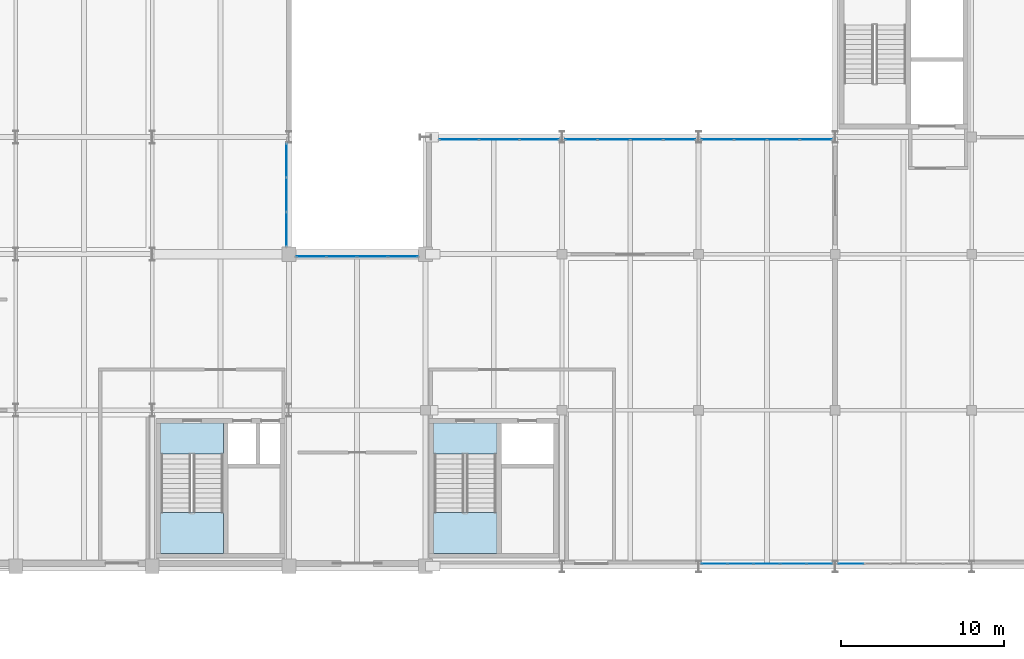
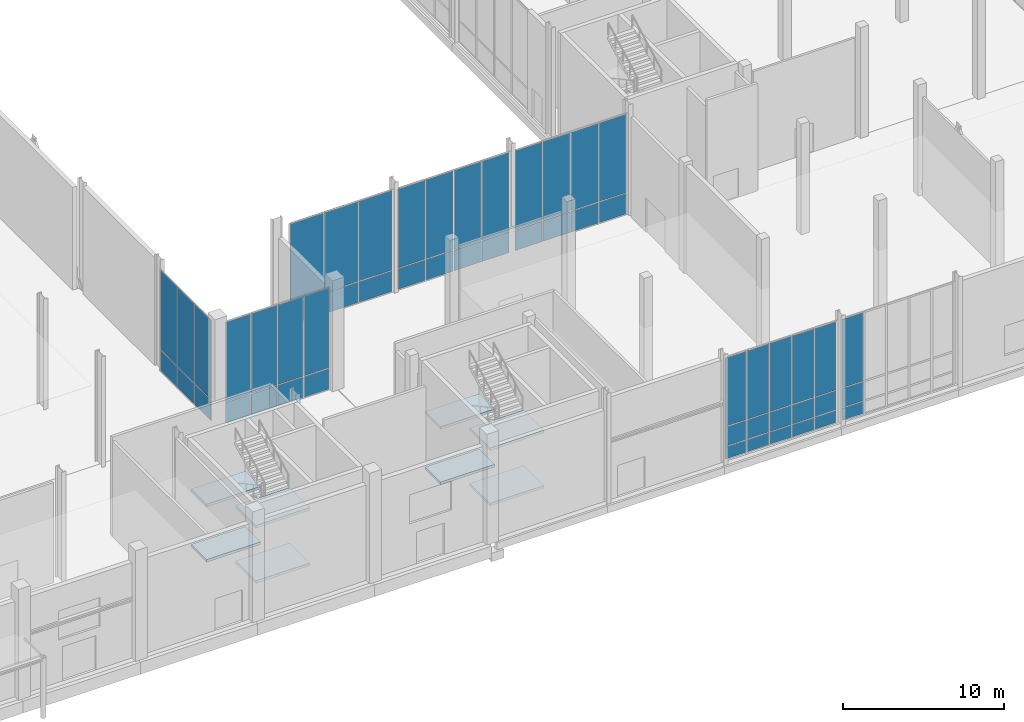
# One storey, part 101 of 131: 54 plates, 8 slabs, 9 elements without a shape of their own.
"""IFC4 building model written with IfcOpenShell, lengths in metres."""

from ifc_helpers import new_model, si_unit, direction, frame, origin, origin_2d, place, context, subcontext, project, spatial, polyline, rectangle, outline, extrude, material, layer, layer_set, type_object, element, aggregate, save


model = new_model("IFC4")

# Units and contexts
model_context = context("Model", 3, precision=1e-05, world=origin(), true_north=direction((0.0, 1.0)))
body_context = subcontext(model_context, "Body", "Model", "MODEL_VIEW")
ifc_project = project(units=[si_unit("LENGTHUNIT", "METRE"), si_unit("AREAUNIT", "SQUARE_METRE"), si_unit("VOLUMEUNIT", "CUBIC_METRE"), si_unit("PLANEANGLEUNIT", "RADIAN"), si_unit("MASSUNIT", "GRAM", prefix="KILO")], contexts=[model_context])

# Site, building, storey
site_placement = place(None, origin())
site = spatial("IfcSite", under=ifc_project, at=site_placement, CompositionType="ELEMENT")
building_placement = place(site_placement, origin())
building = spatial("IfcBuilding", under=site, at=building_placement, Name="Veltarok Museum of Natural Sciences", CompositionType="ELEMENT")
storey_placement = place(building_placement, origin())
storey = spatial("IfcBuildingStorey", under=building, at=storey_placement, Name="L00", CompositionType="ELEMENT", Elevation=0.0)

# Slab
ifc_material_1 = material(Name="Concrete C35/45", Category="concrete")
ifc_layer_1 = layer(ifc_material_1, 0.199951171875)
ifc_layer_set_1 = layer_set([ifc_layer_1], Name="Concrete C35/45")
slab_type = type_object("IfcSlabType", Name="Protected Stair Intermediate Landing Slab 200", PredefinedType="LANDING", material=ifc_layer_set_1)
slab_1_placement = place(storey_placement, frame((0.0, 0.0, -0.199951171875)))
element("IfcSlab", 1, at=slab_1_placement, inside=storey, type_object=slab_type, Name="Stairwell Floor Landing ST-02 L00", PredefinedType="LANDING", context=body_context, shape_type="SweptSolid", body=[
    extrude(outline(polyline([(90.909912109375, 6.89990234375), (94.7900390625, 6.89990234375), (94.7900390625, 8.820068359375), (90.909912109375, 8.820068359375), (90.909912109375, 6.89990234375)])), origin(), (0.0, 0.0, 1.0), 0.199951171875),
])

# Stair, slabs
ifc_material_2 = material(Name="Precast concrete C40/50", Category="concrete")
stair_type = type_object("IfcStairType", Name="Protected Four-Flight Double-Height Escape Stair H8400", PredefinedType="HALF_TURN_STAIR", material=ifc_material_2)
stair_1_placement = place(storey_placement, origin())
stair_1 = element("IfcStair", 2, at=stair_1_placement, inside=storey, type_object=stair_type, Name="Protected Escape Stair ST-02-L00", PredefinedType="HALF_TURN_STAIR")
slab_2_placement = place(storey_placement, frame((0.0, 0.0, 1.89990234375)))
slab_2 = element("IfcSlab", 3, at=slab_2_placement, type_object=slab_type, Name="ST-02-L00 landing 1", PredefinedType="LANDING", context=body_context, shape_type="SweptSolid", body=[
    extrude(outline(polyline([(90.909912109375, 0.780029296875), (94.7900390625, 0.780029296875), (94.7900390625, 3.300048828125), (90.909912109375, 3.300048828125), (90.909912109375, 0.780029296875)])), origin(), (0.0, 0.0, 1.0), 0.2001953125),
])
slab_3_placement = place(storey_placement, frame((0.0, 0.0, 4.0)))
slab_3 = element("IfcSlab", 4, at=slab_3_placement, type_object=slab_type, Name="ST-02-L00 landing 2", PredefinedType="LANDING", context=body_context, shape_type="SweptSolid", body=[
    extrude(outline(polyline([(90.909912109375, 6.89990234375), (94.7900390625, 6.89990234375), (94.7900390625, 8.820068359375), (90.909912109375, 8.820068359375), (90.909912109375, 6.89990234375)])), origin(), (0.0, 0.0, 1.0), 0.199951171875),
])
slab_4_placement = place(storey_placement, frame((0.0, 0.0, 6.10009765625)))
slab_4 = element("IfcSlab", 5, at=slab_4_placement, type_object=slab_type, Name="ST-02-L00 landing 3", PredefinedType="LANDING", context=body_context, shape_type="SweptSolid", body=[
    extrude(outline(polyline([(90.909912109375, 0.780029296875), (94.7900390625, 0.780029296875), (94.7900390625, 3.300048828125), (90.909912109375, 3.300048828125), (90.909912109375, 0.780029296875)])), origin(), (0.0, 0.0, 1.0), 0.199951171875),
])
aggregate(stair_1, [slab_2, slab_3, slab_4])

# Slab
slab_5_placement = place(storey_placement, frame((0.0, 0.0, -0.199951171875)))
element("IfcSlab", 6, at=slab_5_placement, inside=storey, type_object=slab_type, Name="Stairwell Floor Landing ST-04 L00", PredefinedType="LANDING", context=body_context, shape_type="SweptSolid", body=[
    extrude(outline(polyline([(107.7099609375, 6.89990234375), (111.590087890625, 6.89990234375), (111.590087890625, 8.820068359375), (107.7099609375, 8.820068359375), (107.7099609375, 6.89990234375)])), origin(), (0.0, 0.0, 1.0), 0.199951171875),
])

# Stair, slabs
stair_2_placement = place(storey_placement, origin())
stair_2 = element("IfcStair", 7, at=stair_2_placement, inside=storey, type_object=stair_type, Name="Protected Escape Stair ST-04-L00", PredefinedType="HALF_TURN_STAIR")
slab_6_placement = place(storey_placement, frame((0.0, 0.0, 1.89990234375)))
slab_6 = element("IfcSlab", 8, at=slab_6_placement, type_object=slab_type, Name="ST-04-L00 landing 1", PredefinedType="LANDING", context=body_context, shape_type="SweptSolid", body=[
    extrude(outline(polyline([(107.7099609375, 0.780029296875), (111.590087890625, 0.780029296875), (111.590087890625, 3.300048828125), (107.7099609375, 3.300048828125), (107.7099609375, 0.780029296875)])), origin(), (0.0, 0.0, 1.0), 0.2001953125),
])
slab_7_placement = place(storey_placement, frame((0.0, 0.0, 4.0)))
slab_7 = element("IfcSlab", 9, at=slab_7_placement, type_object=slab_type, Name="ST-04-L00 landing 2", PredefinedType="LANDING", context=body_context, shape_type="SweptSolid", body=[
    extrude(outline(polyline([(107.7099609375, 6.89990234375), (111.590087890625, 6.89990234375), (111.590087890625, 8.820068359375), (107.7099609375, 8.820068359375), (107.7099609375, 6.89990234375)])), origin(), (0.0, 0.0, 1.0), 0.199951171875),
])
slab_8_placement = place(storey_placement, frame((0.0, 0.0, 6.10009765625)))
slab_8 = element("IfcSlab", 10, at=slab_8_placement, type_object=slab_type, Name="ST-04-L00 landing 3", PredefinedType="LANDING", context=body_context, shape_type="SweptSolid", body=[
    extrude(outline(polyline([(107.7099609375, 0.780029296875), (111.590087890625, 0.780029296875), (111.590087890625, 3.300048828125), (107.7099609375, 3.300048828125), (107.7099609375, 0.780029296875)])), origin(), (0.0, 0.0, 1.0), 0.199951171875),
])
aggregate(stair_2, [slab_6, slab_7, slab_8])

# Curtain wall, plates
ifc_material_3 = material(Name="Low-iron triple insulated glass", Category="glass")
curtain_wall_type_1 = type_object("IfcCurtainWallType", Name="Curtain Wall System CW-V5S-L00-15-810x778 (V5 South Lab Curtain Wall L00 15-16 810x778cm)", PredefinedType="NOTDEFINED", material=ifc_material_3)
curtain_wall_1_placement = place(storey_placement, origin())
curtain_wall_1 = element("IfcCurtainWall", 11, at=curtain_wall_1_placement, inside=storey, type_object=curtain_wall_type_1, Name="Curtain Wall CW-V5S-L00-15-810x778 CW-0086", PredefinedType="NOTDEFINED")
ifc_layer_2 = layer(ifc_material_3, 0.028076171875)
ifc_layer_set_2 = layer_set([ifc_layer_2], Name="Low-iron triple insulated glass")
plate_type = type_object("IfcPlateType", Name="Triple Low-Iron Glazed Vision Panel 28", PredefinedType="CURTAIN_PANEL", material=ifc_layer_set_2)
plate_1_placement = place(storey_placement, frame((124.97509765625, 0.159912109375, 0.06005859375), z_axis=(0.0, 0.0, 1.0), x_axis=(1.0, 0.0, 0.0)))
plate_1 = element("IfcPlate", 12, at=plate_1_placement, type_object=plate_type, Name="CW-V5S-L00-15-810x778 panel 1.1", PredefinedType="CURTAIN_PANEL", context=body_context, shape_type="SweptSolid", body=[
    extrude(rectangle(XDim=1.530029296875, YDim=0.028076171875, at=origin_2d()), origin(), (0.0, 0.0, 1.0), 0.909912109375),
])
plate_2_placement = place(storey_placement, frame((124.97509765625, 0.159912109375, 1.030029296875), z_axis=(0.0, 0.0, 1.0), x_axis=(1.0, 0.0, 0.0)))
plate_2 = element("IfcPlate", 13, at=plate_2_placement, type_object=plate_type, Name="CW-V5S-L00-15-810x778 panel 1.2", PredefinedType="CURTAIN_PANEL", context=body_context, shape_type="SweptSolid", body=[
    extrude(rectangle(XDim=1.530029296875, YDim=0.028076171875, at=origin_2d()), origin(), (0.0, 0.0, 1.0), 1.43994140625),
])
plate_3_placement = place(storey_placement, frame((124.97509765625, 0.159912109375, 2.530029296875), z_axis=(0.0, 0.0, 1.0), x_axis=(1.0, 0.0, 0.0)))
plate_3 = element("IfcPlate", 14, at=plate_3_placement, type_object=plate_type, Name="CW-V5S-L00-15-810x778 panel 1.3", PredefinedType="CURTAIN_PANEL", context=body_context, shape_type="SweptSolid", body=[
    extrude(rectangle(XDim=1.530029296875, YDim=0.028076171875, at=origin_2d()), origin(), (0.0, 0.0, 1.0), 5.18994140625),
])
plate_4_placement = place(storey_placement, frame((126.580078125, 0.159912109375, 0.06005859375), z_axis=(0.0, 0.0, 1.0), x_axis=(1.0, 0.0, 0.0)))
plate_4 = element("IfcPlate", 15, at=plate_4_placement, type_object=plate_type, Name="CW-V5S-L00-15-810x778 panel 2.1", PredefinedType="CURTAIN_PANEL", context=body_context, shape_type="SweptSolid", body=[
    extrude(rectangle(XDim=1.56005859375, YDim=0.028076171875, at=origin_2d()), origin(), (0.0, 0.0, 1.0), 0.909912109375),
])
plate_5_placement = place(storey_placement, frame((126.580078125, 0.159912109375, 1.030029296875), z_axis=(0.0, 0.0, 1.0), x_axis=(1.0, 0.0, 0.0)))
plate_5 = element("IfcPlate", 16, at=plate_5_placement, type_object=plate_type, Name="CW-V5S-L00-15-810x778 panel 2.2", PredefinedType="CURTAIN_PANEL", context=body_context, shape_type="SweptSolid", body=[
    extrude(rectangle(XDim=1.56005859375, YDim=0.028076171875, at=origin_2d()), origin(), (0.0, 0.0, 1.0), 1.43994140625),
])
plate_6_placement = place(storey_placement, frame((126.580078125, 0.159912109375, 2.530029296875), z_axis=(0.0, 0.0, 1.0), x_axis=(1.0, 0.0, 0.0)))
plate_6 = element("IfcPlate", 17, at=plate_6_placement, type_object=plate_type, Name="CW-V5S-L00-15-810x778 panel 2.3", PredefinedType="CURTAIN_PANEL", context=body_context, shape_type="SweptSolid", body=[
    extrude(rectangle(XDim=1.56005859375, YDim=0.028076171875, at=origin_2d()), origin(), (0.0, 0.0, 1.0), 5.18994140625),
])
plate_7_placement = place(storey_placement, frame((128.199951171875, 0.159912109375, 0.06005859375), z_axis=(0.0, 0.0, 1.0), x_axis=(1.0, 0.0, 0.0)))
plate_7 = element("IfcPlate", 18, at=plate_7_placement, type_object=plate_type, Name="CW-V5S-L00-15-810x778 panel 3.1", PredefinedType="CURTAIN_PANEL", context=body_context, shape_type="SweptSolid", body=[
    extrude(rectangle(XDim=1.56005859375, YDim=0.028076171875, at=origin_2d()), origin(), (0.0, 0.0, 1.0), 0.909912109375),
])
plate_8_placement = place(storey_placement, frame((128.199951171875, 0.159912109375, 1.030029296875), z_axis=(0.0, 0.0, 1.0), x_axis=(1.0, 0.0, 0.0)))
plate_8 = element("IfcPlate", 19, at=plate_8_placement, type_object=plate_type, Name="CW-V5S-L00-15-810x778 panel 3.2", PredefinedType="CURTAIN_PANEL", context=body_context, shape_type="SweptSolid", body=[
    extrude(rectangle(XDim=1.56005859375, YDim=0.028076171875, at=origin_2d()), origin(), (0.0, 0.0, 1.0), 1.43994140625),
])
plate_9_placement = place(storey_placement, frame((128.199951171875, 0.159912109375, 2.530029296875), z_axis=(0.0, 0.0, 1.0), x_axis=(1.0, 0.0, 0.0)))
plate_9 = element("IfcPlate", 20, at=plate_9_placement, type_object=plate_type, Name="CW-V5S-L00-15-810x778 panel 3.3", PredefinedType="CURTAIN_PANEL", context=body_context, shape_type="SweptSolid", body=[
    extrude(rectangle(XDim=1.56005859375, YDim=0.028076171875, at=origin_2d()), origin(), (0.0, 0.0, 1.0), 5.18994140625),
])
plate_10_placement = place(storey_placement, frame((129.820068359375, 0.159912109375, 0.06005859375), z_axis=(0.0, 0.0, 1.0), x_axis=(1.0, 0.0, 0.0)))
plate_10 = element("IfcPlate", 21, at=plate_10_placement, type_object=plate_type, Name="CW-V5S-L00-15-810x778 panel 4.1", PredefinedType="CURTAIN_PANEL", context=body_context, shape_type="SweptSolid", body=[
    extrude(rectangle(XDim=1.56005859375, YDim=0.028076171875, at=origin_2d()), origin(), (0.0, 0.0, 1.0), 0.909912109375),
])
plate_11_placement = place(storey_placement, frame((129.820068359375, 0.159912109375, 1.030029296875), z_axis=(0.0, 0.0, 1.0), x_axis=(1.0, 0.0, 0.0)))
plate_11 = element("IfcPlate", 22, at=plate_11_placement, type_object=plate_type, Name="CW-V5S-L00-15-810x778 panel 4.2", PredefinedType="CURTAIN_PANEL", context=body_context, shape_type="SweptSolid", body=[
    extrude(rectangle(XDim=1.56005859375, YDim=0.028076171875, at=origin_2d()), origin(), (0.0, 0.0, 1.0), 1.43994140625),
])
plate_12_placement = place(storey_placement, frame((129.820068359375, 0.159912109375, 2.530029296875), z_axis=(0.0, 0.0, 1.0), x_axis=(1.0, 0.0, 0.0)))
plate_12 = element("IfcPlate", 23, at=plate_12_placement, type_object=plate_type, Name="CW-V5S-L00-15-810x778 panel 4.3", PredefinedType="CURTAIN_PANEL", context=body_context, shape_type="SweptSolid", body=[
    extrude(rectangle(XDim=1.56005859375, YDim=0.028076171875, at=origin_2d()), origin(), (0.0, 0.0, 1.0), 5.18994140625),
])
plate_13_placement = place(storey_placement, frame((131.425048828125, 0.159912109375, 0.06005859375), z_axis=(0.0, 0.0, 1.0), x_axis=(1.0, 0.0, 0.0)))
plate_13 = element("IfcPlate", 24, at=plate_13_placement, type_object=plate_type, Name="CW-V5S-L00-15-810x778 panel 5.1", PredefinedType="CURTAIN_PANEL", context=body_context, shape_type="SweptSolid", body=[
    extrude(rectangle(XDim=1.530029296875, YDim=0.028076171875, at=origin_2d()), origin(), (0.0, 0.0, 1.0), 0.909912109375),
])
plate_14_placement = place(storey_placement, frame((131.425048828125, 0.159912109375, 1.030029296875), z_axis=(0.0, 0.0, 1.0), x_axis=(1.0, 0.0, 0.0)))
plate_14 = element("IfcPlate", 25, at=plate_14_placement, type_object=plate_type, Name="CW-V5S-L00-15-810x778 panel 5.2", PredefinedType="CURTAIN_PANEL", context=body_context, shape_type="SweptSolid", body=[
    extrude(rectangle(XDim=1.530029296875, YDim=0.028076171875, at=origin_2d()), origin(), (0.0, 0.0, 1.0), 1.43994140625),
])
plate_15_placement = place(storey_placement, frame((131.425048828125, 0.159912109375, 2.530029296875), z_axis=(0.0, 0.0, 1.0), x_axis=(1.0, 0.0, 0.0)))
plate_15 = element("IfcPlate", 26, at=plate_15_placement, type_object=plate_type, Name="CW-V5S-L00-15-810x778 panel 5.3", PredefinedType="CURTAIN_PANEL", context=body_context, shape_type="SweptSolid", body=[
    extrude(rectangle(XDim=1.530029296875, YDim=0.028076171875, at=origin_2d()), origin(), (0.0, 0.0, 1.0), 5.18994140625),
])
aggregate(curtain_wall_1, [plate_1, plate_2, plate_3, plate_4, plate_5, plate_6, plate_7, plate_8, plate_9, plate_10, plate_11, plate_12, plate_13, plate_14, plate_15])

curtain_wall_type_2 = type_object("IfcCurtainWallType", Name="Curtain Wall System CW-V5S-L00-16-810x778 (V5 South Lab Curtain Wall L00 16-17 810x778cm)", PredefinedType="NOTDEFINED", material=ifc_material_3)
curtain_wall_2_placement = place(storey_placement, origin())
curtain_wall_2 = element("IfcCurtainWall", 27, at=curtain_wall_2_placement, inside=storey, type_object=curtain_wall_type_2, Name="Curtain Wall CW-V5S-L00-16-810x778 CW-0087", PredefinedType="NOTDEFINED")
plate_16_placement = place(storey_placement, frame((133.375, 0.159912109375, 0.06005859375), z_axis=(0.0, 0.0, 1.0), x_axis=(1.0, 0.0, 0.0)))
plate_16 = element("IfcPlate", 28, at=plate_16_placement, type_object=plate_type, Name="CW-V5S-L00-16-810x778 panel 1.1", PredefinedType="CURTAIN_PANEL", context=body_context, shape_type="SweptSolid", body=[
    extrude(rectangle(XDim=1.530029296875, YDim=0.028076171875, at=origin_2d()), origin(), (0.0, 0.0, 1.0), 0.909912109375),
])
plate_17_placement = place(storey_placement, frame((133.375, 0.159912109375, 1.030029296875), z_axis=(0.0, 0.0, 1.0), x_axis=(1.0, 0.0, 0.0)))
plate_17 = element("IfcPlate", 29, at=plate_17_placement, type_object=plate_type, Name="CW-V5S-L00-16-810x778 panel 1.2", PredefinedType="CURTAIN_PANEL", context=body_context, shape_type="SweptSolid", body=[
    extrude(rectangle(XDim=1.530029296875, YDim=0.028076171875, at=origin_2d()), origin(), (0.0, 0.0, 1.0), 1.43994140625),
])
plate_18_placement = place(storey_placement, frame((133.375, 0.159912109375, 2.530029296875), z_axis=(0.0, 0.0, 1.0), x_axis=(1.0, 0.0, 0.0)))
plate_18 = element("IfcPlate", 30, at=plate_18_placement, type_object=plate_type, Name="CW-V5S-L00-16-810x778 panel 1.3", PredefinedType="CURTAIN_PANEL", context=body_context, shape_type="SweptSolid", body=[
    extrude(rectangle(XDim=1.530029296875, YDim=0.028076171875, at=origin_2d()), origin(), (0.0, 0.0, 1.0), 5.18994140625),
])
aggregate(curtain_wall_2, [plate_16, plate_17, plate_18])

curtain_wall_type_3 = type_object("IfcCurtainWallType", Name="Curtain Wall System CW-V2E-L00-1-640x773 (CW-V2E L00 640x773cm)", PredefinedType="NOTDEFINED", material=ifc_material_3)
curtain_wall_3_placement = place(storey_placement, origin())
curtain_wall_3 = element("IfcCurtainWall", 31, at=curtain_wall_3_placement, inside=storey, type_object=curtain_wall_type_3, Name="Curtain Wall CW-V2E-L00-1-640x773 CW-0125", PredefinedType="NOTDEFINED")
plate_19_placement = place(storey_placement, frame((98.64990234375, 20.731689453125, 0.057861328125), z_axis=(0.0, 0.0, 1.0), x_axis=(0.0, 1.0, 0.0)))
plate_19 = element("IfcPlate", 32, at=plate_19_placement, type_object=plate_type, Name="CW-V2E-L00-1-640x773 panel 1.1", PredefinedType="CURTAIN_PANEL", context=body_context, shape_type="SweptSolid", body=[
    extrude(rectangle(XDim=2.043212890625, YDim=0.028076171875, at=origin_2d()), origin(), (0.0, 0.0, 1.0), 1.56005859375),
])
plate_20_placement = place(storey_placement, frame((98.64990234375, 20.731689453125, 1.67822265625), z_axis=(0.0, 0.0, 1.0), x_axis=(0.0, 1.0, 0.0)))
plate_20 = element("IfcPlate", 33, at=plate_20_placement, type_object=plate_type, Name="CW-V2E-L00-1-640x773 panel 1.2", PredefinedType="CURTAIN_PANEL", context=body_context, shape_type="SweptSolid", body=[
    extrude(rectangle(XDim=2.043212890625, YDim=0.028076171875, at=origin_2d()), origin(), (0.0, 0.0, 1.0), 5.991943359375),
])
plate_21_placement = place(storey_placement, frame((98.64990234375, 22.85009765625, 0.057861328125), z_axis=(0.0, 0.0, 1.0), x_axis=(0.0, 1.0, 0.0)))
plate_21 = element("IfcPlate", 34, at=plate_21_placement, type_object=plate_type, Name="CW-V2E-L00-1-640x773 panel 2.1", PredefinedType="CURTAIN_PANEL", context=body_context, shape_type="SweptSolid", body=[
    extrude(rectangle(XDim=2.0732421875, YDim=0.028076171875, at=origin_2d()), origin(), (0.0, 0.0, 1.0), 1.56005859375),
])
plate_22_placement = place(storey_placement, frame((98.64990234375, 22.85009765625, 1.67822265625), z_axis=(0.0, 0.0, 1.0), x_axis=(0.0, 1.0, 0.0)))
plate_22 = element("IfcPlate", 35, at=plate_22_placement, type_object=plate_type, Name="CW-V2E-L00-1-640x773 panel 2.2", PredefinedType="CURTAIN_PANEL", context=body_context, shape_type="SweptSolid", body=[
    extrude(rectangle(XDim=2.0732421875, YDim=0.028076171875, at=origin_2d()), origin(), (0.0, 0.0, 1.0), 5.991943359375),
])
plate_23_placement = place(storey_placement, frame((98.64990234375, 24.96826171875, 0.057861328125), z_axis=(0.0, 0.0, 1.0), x_axis=(0.0, 1.0, 0.0)))
plate_23 = element("IfcPlate", 36, at=plate_23_placement, type_object=plate_type, Name="CW-V2E-L00-1-640x773 panel 3.1", PredefinedType="CURTAIN_PANEL", context=body_context, shape_type="SweptSolid", body=[
    extrude(rectangle(XDim=2.043212890625, YDim=0.028076171875, at=origin_2d()), origin(), (0.0, 0.0, 1.0), 1.56005859375),
])
plate_24_placement = place(storey_placement, frame((98.64990234375, 24.96826171875, 1.67822265625), z_axis=(0.0, 0.0, 1.0), x_axis=(0.0, 1.0, 0.0)))
plate_24 = element("IfcPlate", 37, at=plate_24_placement, type_object=plate_type, Name="CW-V2E-L00-1-640x773 panel 3.2", PredefinedType="CURTAIN_PANEL", context=body_context, shape_type="SweptSolid", body=[
    extrude(rectangle(XDim=2.043212890625, YDim=0.028076171875, at=origin_2d()), origin(), (0.0, 0.0, 1.0), 5.991943359375),
])
aggregate(curtain_wall_3, [plate_19, plate_20, plate_21, plate_22, plate_23, plate_24])

curtain_wall_type_4 = type_object("IfcCurtainWallType", Name="Curtain Wall System CW-V1CN-L00-0-755x778 (CW-V1CN L00 755x778cm)", PredefinedType="NOTDEFINED", material=ifc_material_3)
curtain_wall_4_placement = place(storey_placement, origin())
curtain_wall_4 = element("IfcCurtainWall", 38, at=curtain_wall_4_placement, inside=storey, type_object=curtain_wall_type_4, Name="Curtain Wall CW-V1CN-L00-0-755x778 CW-0156", PredefinedType="NOTDEFINED")
plate_25_placement = place(storey_placement, frame((105.816162109375, 19.050048828125, 0.057861328125), z_axis=(0.0, 0.0, 1.0), x_axis=(-1.0, 0.0, 0.0)))
plate_25 = element("IfcPlate", 39, at=plate_25_placement, type_object=plate_type, Name="CW-V1CN-L00-0-755x778 panel 1.1", PredefinedType="CURTAIN_PANEL", context=body_context, shape_type="SweptSolid", body=[
    extrude(rectangle(XDim=1.797607421875, YDim=0.028076171875, at=origin_2d()), origin(), (0.0, 0.0, 1.0), 1.56005859375),
])
plate_26_placement = place(storey_placement, frame((105.816162109375, 19.050048828125, 1.677978515625), z_axis=(0.0, 0.0, 1.0), x_axis=(-1.0, 0.0, 0.0)))
plate_26 = element("IfcPlate", 40, at=plate_26_placement, type_object=plate_type, Name="CW-V1CN-L00-0-755x778 panel 1.2", PredefinedType="CURTAIN_PANEL", context=body_context, shape_type="SweptSolid", body=[
    extrude(rectangle(XDim=1.797607421875, YDim=0.028076171875, at=origin_2d()), origin(), (0.0, 0.0, 1.0), 6.0419921875),
])
plate_27_placement = place(storey_placement, frame((103.94384765625, 19.050048828125, 0.057861328125), z_axis=(0.0, 0.0, 1.0), x_axis=(-1.0, 0.0, 0.0)))
plate_27 = element("IfcPlate", 41, at=plate_27_placement, type_object=plate_type, Name="CW-V1CN-L00-0-755x778 panel 2.1", PredefinedType="CURTAIN_PANEL", context=body_context, shape_type="SweptSolid", body=[
    extrude(rectangle(XDim=1.827392578125, YDim=0.028076171875, at=origin_2d()), origin(), (0.0, 0.0, 1.0), 1.56005859375),
])
plate_28_placement = place(storey_placement, frame((103.94384765625, 19.050048828125, 1.677978515625), z_axis=(0.0, 0.0, 1.0), x_axis=(-1.0, 0.0, 0.0)))
plate_28 = element("IfcPlate", 42, at=plate_28_placement, type_object=plate_type, Name="CW-V1CN-L00-0-755x778 panel 2.2", PredefinedType="CURTAIN_PANEL", context=body_context, shape_type="SweptSolid", body=[
    extrude(rectangle(XDim=1.827392578125, YDim=0.028076171875, at=origin_2d()), origin(), (0.0, 0.0, 1.0), 6.0419921875),
])
plate_29_placement = place(storey_placement, frame((102.05615234375, 19.050048828125, 0.057861328125), z_axis=(0.0, 0.0, 1.0), x_axis=(-1.0, 0.0, 0.0)))
plate_29 = element("IfcPlate", 43, at=plate_29_placement, type_object=plate_type, Name="CW-V1CN-L00-0-755x778 panel 3.1", PredefinedType="CURTAIN_PANEL", context=body_context, shape_type="SweptSolid", body=[
    extrude(rectangle(XDim=1.827392578125, YDim=0.028076171875, at=origin_2d()), origin(), (0.0, 0.0, 1.0), 1.56005859375),
])
plate_30_placement = place(storey_placement, frame((102.05615234375, 19.050048828125, 1.677978515625), z_axis=(0.0, 0.0, 1.0), x_axis=(-1.0, 0.0, 0.0)))
plate_30 = element("IfcPlate", 44, at=plate_30_placement, type_object=plate_type, Name="CW-V1CN-L00-0-755x778 panel 3.2", PredefinedType="CURTAIN_PANEL", context=body_context, shape_type="SweptSolid", body=[
    extrude(rectangle(XDim=1.827392578125, YDim=0.028076171875, at=origin_2d()), origin(), (0.0, 0.0, 1.0), 6.0419921875),
])
plate_31_placement = place(storey_placement, frame((100.183837890625, 19.050048828125, 0.057861328125), z_axis=(0.0, 0.0, 1.0), x_axis=(-1.0, 0.0, 0.0)))
plate_31 = element("IfcPlate", 45, at=plate_31_placement, type_object=plate_type, Name="CW-V1CN-L00-0-755x778 panel 4.1", PredefinedType="CURTAIN_PANEL", context=body_context, shape_type="SweptSolid", body=[
    extrude(rectangle(XDim=1.797607421875, YDim=0.028076171875, at=origin_2d()), origin(), (0.0, 0.0, 1.0), 1.56005859375),
])
plate_32_placement = place(storey_placement, frame((100.183837890625, 19.050048828125, 1.677978515625), z_axis=(0.0, 0.0, 1.0), x_axis=(-1.0, 0.0, 0.0)))
plate_32 = element("IfcPlate", 46, at=plate_32_placement, type_object=plate_type, Name="CW-V1CN-L00-0-755x778 panel 4.2", PredefinedType="CURTAIN_PANEL", context=body_context, shape_type="SweptSolid", body=[
    extrude(rectangle(XDim=1.797607421875, YDim=0.028076171875, at=origin_2d()), origin(), (0.0, 0.0, 1.0), 6.0419921875),
])
aggregate(curtain_wall_4, [plate_25, plate_26, plate_27, plate_28, plate_29, plate_30, plate_31, plate_32])

curtain_wall_type_5 = type_object("IfcCurtainWallType", Name="Curtain Wall System CW-V5CN-L00-0-742x778 (CW-V5CN L00 742x778cm)", PredefinedType="NOTDEFINED", material=ifc_material_3)
curtain_wall_5_placement = place(storey_placement, origin())
curtain_wall_5 = element("IfcCurtainWall", 47, at=curtain_wall_5_placement, inside=storey, type_object=curtain_wall_type_5, Name="Curtain Wall CW-V5CN-L00-0-742x778 CW-0184", PredefinedType="NOTDEFINED")
plate_33_placement = place(storey_placement, frame((114.1982421875, 26.25, 0.057861328125), z_axis=(0.0, 0.0, 1.0), x_axis=(-1.0, 0.0, 0.0)))
plate_33 = element("IfcPlate", 48, at=plate_33_placement, type_object=plate_type, Name="CW-V5CN-L00-0-742x778 panel 1.1", PredefinedType="CURTAIN_PANEL", context=body_context, shape_type="SweptSolid", body=[
    extrude(rectangle(XDim=2.38330078125, YDim=0.028076171875, at=origin_2d()), origin(), (0.0, 0.0, 1.0), 1.56005859375),
])
plate_34_placement = place(storey_placement, frame((114.1982421875, 26.25, 1.677978515625), z_axis=(0.0, 0.0, 1.0), x_axis=(-1.0, 0.0, 0.0)))
plate_34 = element("IfcPlate", 49, at=plate_34_placement, type_object=plate_type, Name="CW-V5CN-L00-0-742x778 panel 1.2", PredefinedType="CURTAIN_PANEL", context=body_context, shape_type="SweptSolid", body=[
    extrude(rectangle(XDim=2.38330078125, YDim=0.028076171875, at=origin_2d()), origin(), (0.0, 0.0, 1.0), 6.0419921875),
])
plate_35_placement = place(storey_placement, frame((111.739990234375, 26.25, 0.057861328125), z_axis=(0.0, 0.0, 1.0), x_axis=(-1.0, 0.0, 0.0)))
plate_35 = element("IfcPlate", 50, at=plate_35_placement, type_object=plate_type, Name="CW-V5CN-L00-0-742x778 panel 2.1", PredefinedType="CURTAIN_PANEL", context=body_context, shape_type="SweptSolid", body=[
    extrude(rectangle(XDim=2.413330078125, YDim=0.028076171875, at=origin_2d()), origin(), (0.0, 0.0, 1.0), 1.56005859375),
])
plate_36_placement = place(storey_placement, frame((111.739990234375, 26.25, 1.677978515625), z_axis=(0.0, 0.0, 1.0), x_axis=(-1.0, 0.0, 0.0)))
plate_36 = element("IfcPlate", 51, at=plate_36_placement, type_object=plate_type, Name="CW-V5CN-L00-0-742x778 panel 2.2", PredefinedType="CURTAIN_PANEL", context=body_context, shape_type="SweptSolid", body=[
    extrude(rectangle(XDim=2.413330078125, YDim=0.028076171875, at=origin_2d()), origin(), (0.0, 0.0, 1.0), 6.0419921875),
])
plate_37_placement = place(storey_placement, frame((109.28173828125, 26.25, 0.057861328125), z_axis=(0.0, 0.0, 1.0), x_axis=(-1.0, 0.0, 0.0)))
plate_37 = element("IfcPlate", 52, at=plate_37_placement, type_object=plate_type, Name="CW-V5CN-L00-0-742x778 panel 3.1", PredefinedType="CURTAIN_PANEL", context=body_context, shape_type="SweptSolid", body=[
    extrude(rectangle(XDim=2.38330078125, YDim=0.028076171875, at=origin_2d()), origin(), (0.0, 0.0, 1.0), 1.56005859375),
])
plate_38_placement = place(storey_placement, frame((109.28173828125, 26.25, 1.677978515625), z_axis=(0.0, 0.0, 1.0), x_axis=(-1.0, 0.0, 0.0)))
plate_38 = element("IfcPlate", 53, at=plate_38_placement, type_object=plate_type, Name="CW-V5CN-L00-0-742x778 panel 3.2", PredefinedType="CURTAIN_PANEL", context=body_context, shape_type="SweptSolid", body=[
    extrude(rectangle(XDim=2.38330078125, YDim=0.028076171875, at=origin_2d()), origin(), (0.0, 0.0, 1.0), 6.0419921875),
])
aggregate(curtain_wall_5, [plate_33, plate_34, plate_35, plate_36, plate_37, plate_38])

curtain_wall_type_6 = type_object("IfcCurtainWallType", Name="Curtain Wall System CW-V5CN-L00-1-810x773 (CW-V5CN L00 810x773cm)", PredefinedType="NOTDEFINED", material=ifc_material_3)
curtain_wall_6_placement = place(storey_placement, origin())
curtain_wall_6 = element("IfcCurtainWall", 54, at=curtain_wall_6_placement, inside=storey, type_object=curtain_wall_type_6, Name="Curtain Wall CW-V5CN-L00-1-810x773 CW-0185", PredefinedType="NOTDEFINED")
plate_39_placement = place(storey_placement, frame((122.822509765625, 26.25, 0.057861328125), z_axis=(0.0, 0.0, 1.0), x_axis=(-1.0, 0.0, 0.0)))
plate_39 = element("IfcPlate", 55, at=plate_39_placement, type_object=plate_type, Name="CW-V5CN-L00-1-810x773 panel 1.1", PredefinedType="CURTAIN_PANEL", context=body_context, shape_type="SweptSolid", body=[
    extrude(rectangle(XDim=1.93505859375, YDim=0.028076171875, at=origin_2d()), origin(), (0.0, 0.0, 1.0), 1.56005859375),
])
plate_40_placement = place(storey_placement, frame((122.822509765625, 26.25, 1.67822265625), z_axis=(0.0, 0.0, 1.0), x_axis=(-1.0, 0.0, 0.0)))
plate_40 = element("IfcPlate", 56, at=plate_40_placement, type_object=plate_type, Name="CW-V5CN-L00-1-810x773 panel 1.2", PredefinedType="CURTAIN_PANEL", context=body_context, shape_type="SweptSolid", body=[
    extrude(rectangle(XDim=1.93505859375, YDim=0.028076171875, at=origin_2d()), origin(), (0.0, 0.0, 1.0), 5.991943359375),
])
plate_41_placement = place(storey_placement, frame((120.8125, 26.25, 0.057861328125), z_axis=(0.0, 0.0, 1.0), x_axis=(-1.0, 0.0, 0.0)))
plate_41 = element("IfcPlate", 57, at=plate_41_placement, type_object=plate_type, Name="CW-V5CN-L00-1-810x773 panel 2.1", PredefinedType="CURTAIN_PANEL", context=body_context, shape_type="SweptSolid", body=[
    extrude(rectangle(XDim=1.965087890625, YDim=0.028076171875, at=origin_2d()), origin(), (0.0, 0.0, 1.0), 1.56005859375),
])
plate_42_placement = place(storey_placement, frame((120.8125, 26.25, 1.67822265625), z_axis=(0.0, 0.0, 1.0), x_axis=(-1.0, 0.0, 0.0)))
plate_42 = element("IfcPlate", 58, at=plate_42_placement, type_object=plate_type, Name="CW-V5CN-L00-1-810x773 panel 2.2", PredefinedType="CURTAIN_PANEL", context=body_context, shape_type="SweptSolid", body=[
    extrude(rectangle(XDim=1.965087890625, YDim=0.028076171875, at=origin_2d()), origin(), (0.0, 0.0, 1.0), 5.991943359375),
])
plate_43_placement = place(storey_placement, frame((118.78759765625, 26.25, 0.057861328125), z_axis=(0.0, 0.0, 1.0), x_axis=(-1.0, 0.0, 0.0)))
plate_43 = element("IfcPlate", 59, at=plate_43_placement, type_object=plate_type, Name="CW-V5CN-L00-1-810x773 panel 3.1", PredefinedType="CURTAIN_PANEL", context=body_context, shape_type="SweptSolid", body=[
    extrude(rectangle(XDim=1.965087890625, YDim=0.028076171875, at=origin_2d()), origin(), (0.0, 0.0, 1.0), 1.56005859375),
])
plate_44_placement = place(storey_placement, frame((118.78759765625, 26.25, 1.67822265625), z_axis=(0.0, 0.0, 1.0), x_axis=(-1.0, 0.0, 0.0)))
plate_44 = element("IfcPlate", 60, at=plate_44_placement, type_object=plate_type, Name="CW-V5CN-L00-1-810x773 panel 3.2", PredefinedType="CURTAIN_PANEL", context=body_context, shape_type="SweptSolid", body=[
    extrude(rectangle(XDim=1.965087890625, YDim=0.028076171875, at=origin_2d()), origin(), (0.0, 0.0, 1.0), 5.991943359375),
])
plate_45_placement = place(storey_placement, frame((116.777587890625, 26.25, 0.057861328125), z_axis=(0.0, 0.0, 1.0), x_axis=(-1.0, 0.0, 0.0)))
plate_45 = element("IfcPlate", 61, at=plate_45_placement, type_object=plate_type, Name="CW-V5CN-L00-1-810x773 panel 4.1", PredefinedType="CURTAIN_PANEL", context=body_context, shape_type="SweptSolid", body=[
    extrude(rectangle(XDim=1.93505859375, YDim=0.028076171875, at=origin_2d()), origin(), (0.0, 0.0, 1.0), 1.56005859375),
])
plate_46_placement = place(storey_placement, frame((116.777587890625, 26.25, 1.67822265625), z_axis=(0.0, 0.0, 1.0), x_axis=(-1.0, 0.0, 0.0)))
plate_46 = element("IfcPlate", 62, at=plate_46_placement, type_object=plate_type, Name="CW-V5CN-L00-1-810x773 panel 4.2", PredefinedType="CURTAIN_PANEL", context=body_context, shape_type="SweptSolid", body=[
    extrude(rectangle(XDim=1.93505859375, YDim=0.028076171875, at=origin_2d()), origin(), (0.0, 0.0, 1.0), 5.991943359375),
])
aggregate(curtain_wall_6, [plate_39, plate_40, plate_41, plate_42, plate_43, plate_44, plate_45, plate_46])

curtain_wall_type_7 = type_object("IfcCurtainWallType", Name="Curtain Wall System CW-V5CN-L00-2-810x768 (CW-V5CN L00 810x768cm)", PredefinedType="NOTDEFINED", material=ifc_material_3)
curtain_wall_7_placement = place(storey_placement, origin())
curtain_wall_7 = element("IfcCurtainWall", 63, at=curtain_wall_7_placement, inside=storey, type_object=curtain_wall_type_7, Name="Curtain Wall CW-V5CN-L00-2-810x768 CW-0186", PredefinedType="NOTDEFINED")
plate_47_placement = place(storey_placement, frame((131.222412109375, 26.25, 0.057861328125), z_axis=(0.0, 0.0, 1.0), x_axis=(-1.0, 0.0, 0.0)))
plate_47 = element("IfcPlate", 64, at=plate_47_placement, type_object=plate_type, Name="CW-V5CN-L00-2-810x768 panel 1.1", PredefinedType="CURTAIN_PANEL", context=body_context, shape_type="SweptSolid", body=[
    extrude(rectangle(XDim=1.93505859375, YDim=0.028076171875, at=origin_2d()), origin(), (0.0, 0.0, 1.0), 1.56005859375),
])
plate_48_placement = place(storey_placement, frame((131.222412109375, 26.25, 1.677978515625), z_axis=(0.0, 0.0, 1.0), x_axis=(-1.0, 0.0, 0.0)))
plate_48 = element("IfcPlate", 65, at=plate_48_placement, type_object=plate_type, Name="CW-V5CN-L00-2-810x768 panel 1.2", PredefinedType="CURTAIN_PANEL", context=body_context, shape_type="SweptSolid", body=[
    extrude(rectangle(XDim=1.93505859375, YDim=0.028076171875, at=origin_2d()), origin(), (0.0, 0.0, 1.0), 5.94189453125),
])
plate_49_placement = place(storey_placement, frame((129.21240234375, 26.25, 0.057861328125), z_axis=(0.0, 0.0, 1.0), x_axis=(-1.0, 0.0, 0.0)))
plate_49 = element("IfcPlate", 66, at=plate_49_placement, type_object=plate_type, Name="CW-V5CN-L00-2-810x768 panel 2.1", PredefinedType="CURTAIN_PANEL", context=body_context, shape_type="SweptSolid", body=[
    extrude(rectangle(XDim=1.965087890625, YDim=0.028076171875, at=origin_2d()), origin(), (0.0, 0.0, 1.0), 1.56005859375),
])
plate_50_placement = place(storey_placement, frame((129.21240234375, 26.25, 1.677978515625), z_axis=(0.0, 0.0, 1.0), x_axis=(-1.0, 0.0, 0.0)))
plate_50 = element("IfcPlate", 67, at=plate_50_placement, type_object=plate_type, Name="CW-V5CN-L00-2-810x768 panel 2.2", PredefinedType="CURTAIN_PANEL", context=body_context, shape_type="SweptSolid", body=[
    extrude(rectangle(XDim=1.965087890625, YDim=0.028076171875, at=origin_2d()), origin(), (0.0, 0.0, 1.0), 5.94189453125),
])
plate_51_placement = place(storey_placement, frame((127.1875, 26.25, 0.057861328125), z_axis=(0.0, 0.0, 1.0), x_axis=(-1.0, 0.0, 0.0)))
plate_51 = element("IfcPlate", 68, at=plate_51_placement, type_object=plate_type, Name="CW-V5CN-L00-2-810x768 panel 3.1", PredefinedType="CURTAIN_PANEL", context=body_context, shape_type="SweptSolid", body=[
    extrude(rectangle(XDim=1.965087890625, YDim=0.028076171875, at=origin_2d()), origin(), (0.0, 0.0, 1.0), 1.56005859375),
])
plate_52_placement = place(storey_placement, frame((127.1875, 26.25, 1.677978515625), z_axis=(0.0, 0.0, 1.0), x_axis=(-1.0, 0.0, 0.0)))
plate_52 = element("IfcPlate", 69, at=plate_52_placement, type_object=plate_type, Name="CW-V5CN-L00-2-810x768 panel 3.2", PredefinedType="CURTAIN_PANEL", context=body_context, shape_type="SweptSolid", body=[
    extrude(rectangle(XDim=1.965087890625, YDim=0.028076171875, at=origin_2d()), origin(), (0.0, 0.0, 1.0), 5.94189453125),
])
plate_53_placement = place(storey_placement, frame((125.177490234375, 26.25, 0.057861328125), z_axis=(0.0, 0.0, 1.0), x_axis=(-1.0, 0.0, 0.0)))
plate_53 = element("IfcPlate", 70, at=plate_53_placement, type_object=plate_type, Name="CW-V5CN-L00-2-810x768 panel 4.1", PredefinedType="CURTAIN_PANEL", context=body_context, shape_type="SweptSolid", body=[
    extrude(rectangle(XDim=1.93505859375, YDim=0.028076171875, at=origin_2d()), origin(), (0.0, 0.0, 1.0), 1.56005859375),
])
plate_54_placement = place(storey_placement, frame((125.177490234375, 26.25, 1.677978515625), z_axis=(0.0, 0.0, 1.0), x_axis=(-1.0, 0.0, 0.0)))
plate_54 = element("IfcPlate", 71, at=plate_54_placement, type_object=plate_type, Name="CW-V5CN-L00-2-810x768 panel 4.2", PredefinedType="CURTAIN_PANEL", context=body_context, shape_type="SweptSolid", body=[
    extrude(rectangle(XDim=1.93505859375, YDim=0.028076171875, at=origin_2d()), origin(), (0.0, 0.0, 1.0), 5.94189453125),
])
aggregate(curtain_wall_7, [plate_47, plate_48, plate_49, plate_50, plate_51, plate_52, plate_53, plate_54])

save(model, "model.ifc")
